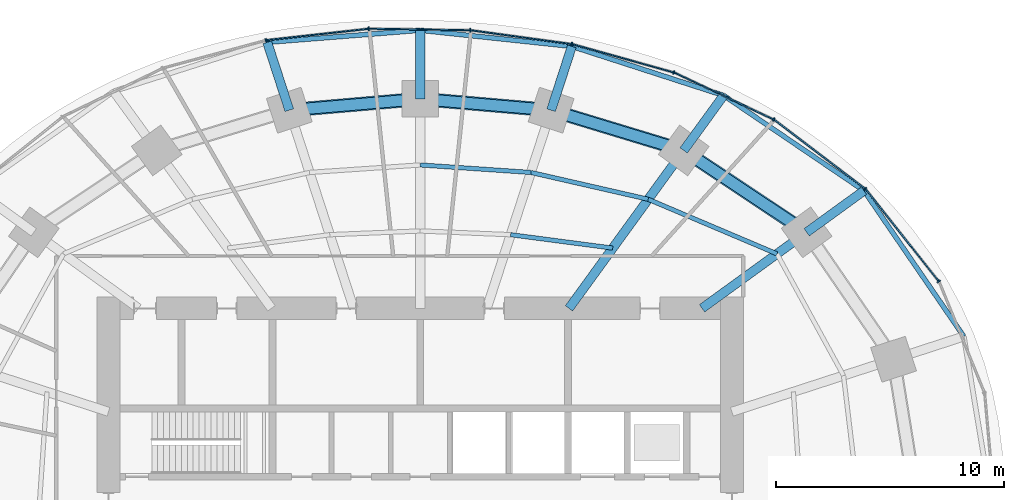
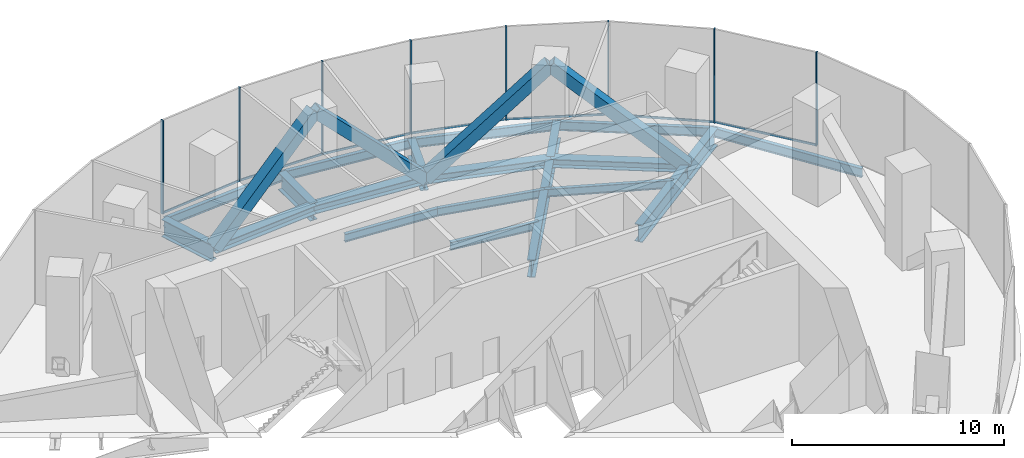
# One storey, part 8 of 14: 23 members, 16 beams, 2 elements without a shape of their own.
"""IFC4 building model written with IfcOpenShell, lengths in metres."""

from ifc_helpers import new_model, si_unit, direction, frame, origin, origin_2d, place, context, subcontext, project, spatial, rectangle, hollow_rectangle, i_section, extrude, material, material_profile, profile_set, type_object, element, aggregate, save


model = new_model("IFC4")

# Units and contexts
model_context = context("Model", 3, precision=1e-05, world=origin(), true_north=direction((0.0, 1.0)))
body_context = subcontext(model_context, "Body", "Model", "MODEL_VIEW")
ifc_project = project(units=[si_unit("LENGTHUNIT", "METRE"), si_unit("AREAUNIT", "SQUARE_METRE"), si_unit("VOLUMEUNIT", "CUBIC_METRE"), si_unit("PLANEANGLEUNIT", "RADIAN"), si_unit("MASSUNIT", "GRAM", prefix="KILO")], contexts=[model_context])

# Site, building, storey
site_placement = place(None, origin())
site = spatial("IfcSite", under=ifc_project, at=site_placement, CompositionType="ELEMENT")
building_placement = place(site_placement, origin())
building = spatial("IfcBuilding", under=site, at=building_placement, Name="Marramba Exchange Tower", CompositionType="ELEMENT")
storey_placement = place(building_placement, frame((0.0, 0.0, 166.5)))
storey = spatial("IfcBuildingStorey", under=building, at=storey_placement, Name="L40", CompositionType="ELEMENT", Elevation=166.5)

# Members
ifc_material_1 = material(Name="Steel AS/NZS 3679.2 grade 300", Category="steel")
ifc_material_profile_1 = material_profile(ifc_material_1, i_section(OverallWidth=0.5, OverallDepth=0.48388671875, WebThickness=0.02490234375, FlangeThickness=0.031982421875, at=origin_2d()), Name="500WC340")
ifc_profile_set_1 = profile_set([ifc_material_profile_1], Name="Steel AS/NZS 3679.2 grade 300")
member_type_1 = type_object("IfcMemberType", Name="Belt truss chord 500WC340", PredefinedType="CHORD", material=ifc_profile_set_1)
member_1_placement = place(storey_placement, frame((16.98583984375, 12.3408203125, -0.44189453125), z_axis=(-0.832293151443, 0.554335737673, 0.0), x_axis=(-0.554335737673, -0.832293151443, 0.0)))
element("IfcMember", 1, at=member_1_placement, inside=storey, type_object=member_type_1, Name="Belt chord L40 TC03-TC04", PredefinedType="CHORD", context=body_context, shape_type="SweptSolid", body=[
    extrude(i_section(OverallWidth=0.5, OverallDepth=0.48388671875, WebThickness=0.02490234375, FlangeThickness=0.031982421875, at=origin_2d()), origin(), (0.0, 0.0, 1.0), 6.49365234375),
])
member_2_placement = place(storey_placement, frame((11.581298828125, 15.9404296875, -0.44189453125), z_axis=(-0.956924542524, 0.290336735387, 0.0), x_axis=(-0.290336735387, -0.956924542524, 0.0)))
element("IfcMember", 2, at=member_2_placement, inside=storey, type_object=member_type_1, Name="Belt chord L40 TC04-TC05", PredefinedType="CHORD", context=body_context, shape_type="SweptSolid", body=[
    extrude(i_section(OverallWidth=0.5, OverallDepth=0.48388671875, WebThickness=0.02490234375, FlangeThickness=0.031982421875, at=origin_2d()), origin(), (0.0, 0.0, 1.0), 6.089599609375),
])
for number, where, z_axis, x_axis, name in (
    (3, (5.75390625, 17.70849609375, -0.44189453125), (-0.996311003275, 0.085815993578, 0.0), (-0.085815993578, -0.996311003275, 0.0), "Belt chord L40 TC05-TC06"),
    (4, (0.0, 18.2041015625, -0.44189453125), (-0.996311003275, -0.085815993578, 0.0), (0.085815993578, -0.996311003275, 0.0), "Belt chord L40 TC06-TC07"),
):
    element("IfcMember", number, at=place(storey_placement, frame(where, z_axis=z_axis, x_axis=x_axis)), inside=storey, type_object=member_type_1, Name=name, PredefinedType="CHORD", context=body_context, shape_type="SweptSolid", body=[
        extrude(i_section(OverallWidth=0.5, OverallDepth=0.48388671875, WebThickness=0.02490234375, FlangeThickness=0.031982421875, at=origin_2d()), origin(), (0.0, 0.0, 1.0), 5.775146484375),
    ])
ifc_material_2 = material(Name="Steel AS/NZS 3678 grade 350", Category="steel")
ifc_material_profile_2 = material_profile(ifc_material_2, hollow_rectangle(XDim=0.60009765625, YDim=0.60009765625, WallThickness=0.0400390625, at=origin_2d()), Name="600x600x40BOX")
ifc_profile_set_2 = profile_set([ifc_material_profile_2], Name="Steel AS/NZS 3678 grade 350")
member_type_2 = type_object("IfcMemberType", Name="Belt truss diagonal 600x600x40BOX", PredefinedType="BRACE", material=ifc_profile_set_2)
member_3_placement = place(storey_placement, frame((16.98583984375, 12.3408203125, -0.44189453125), z_axis=(-0.630292951441, 0.419796687719, 0.653070850937), x_axis=(-0.554335737673, -0.832293151443, 0.0)))
element("IfcMember", 5, at=member_3_placement, inside=storey, type_object=member_type_2, Name="Belt truss BT40 diagonal 03", PredefinedType="BRACE", context=body_context, shape_type="SweptSolid", body=[
    extrude(hollow_rectangle(XDim=0.60009765625, YDim=0.60009765625, WallThickness=0.0400390625, at=origin_2d()), origin(), (0.0, 0.0, 1.0), 8.57470703125),
])
member_4_placement = place(storey_placement, frame((11.581298828125, 15.9404296875, 5.157958984375), z_axis=(-0.704384845581, 0.213714652968, -0.676881109518), x_axis=(-0.290336735387, -0.956924542524, 0.0)))
element("IfcMember", 6, at=member_4_placement, inside=storey, type_object=member_type_2, Name="Belt truss BT40 diagonal 04", PredefinedType="BRACE", context=body_context, shape_type="SweptSolid", body=[
    extrude(hollow_rectangle(XDim=0.60009765625, YDim=0.60009765625, WallThickness=0.0400390625, at=origin_2d()), origin(), (0.0, 0.0, 1.0), 8.27294921875),
])
for number, where, z_axis, x_axis, name in (
    (7, (5.75390625, 17.70849609375, -0.44189453125), (-0.715273791372, 0.061609207251, 0.696123343207), (-0.085815993578, -0.996311003275, 0.0), "Belt truss BT40 diagonal 05"),
    (8, (0.0, 18.2041015625, 5.157958984375), (-0.715273791372, -0.061609207251, -0.696123343207), (0.085815993578, -0.996311003275, 0.0), "Belt truss BT40 diagonal 06"),
):
    element("IfcMember", number, at=place(storey_placement, frame(where, z_axis=z_axis, x_axis=x_axis)), inside=storey, type_object=member_type_2, Name=name, PredefinedType="BRACE", context=body_context, shape_type="SweptSolid", body=[
        extrude(hollow_rectangle(XDim=0.60009765625, YDim=0.60009765625, WallThickness=0.0400390625, at=origin_2d()), origin(), (0.0, 0.0, 1.0), 8.04443359375),
    ])

# Beams
ifc_material_profile_3 = material_profile(ifc_material_1, i_section(OverallWidth=0.39990234375, OverallDepth=1.0, WebThickness=0.01611328125, FlangeThickness=0.031982421875, at=origin_2d()), Name="1000WB322")
ifc_profile_set_3 = profile_set([ifc_material_profile_3], Name="Steel AS/NZS 3679.2 grade 300")
beam_type_1 = type_object("IfcBeamType", Name="Cantilever girder 1000WB322", PredefinedType="BEAM", material=ifc_profile_set_3)
beam_1_placement = place(storey_placement, frame((16.98583984375, 12.3408203125, -0.699951171875), z_axis=(0.809013970709, 0.58778941399, 0.0), x_axis=(-0.58778941399, 0.809013970709, 0.0)))
element("IfcBeam", 9, at=beam_1_placement, inside=storey, type_object=beam_type_1, Name="Cantilever girder L40 TC03", PredefinedType="BEAM", context=body_context, shape_type="SweptSolid", body=[
    extrude(i_section(OverallWidth=0.39990234375, OverallDepth=1.0, WebThickness=0.01611328125, FlangeThickness=0.031982421875, at=origin_2d()), origin(), (0.0, 0.0, 1.0), 3.1142578125),
])
beam_2_placement = place(storey_placement, frame((11.581298828125, 15.9404296875, -0.699951171875), z_axis=(0.587821738214, 0.808990484544, 0.0), x_axis=(-0.808990484544, 0.587821738214, 0.0)))
element("IfcBeam", 10, at=beam_2_placement, inside=storey, type_object=beam_type_1, Name="Cantilever girder L40 TC04", PredefinedType="BEAM", context=body_context, shape_type="SweptSolid", body=[
    extrude(i_section(OverallWidth=0.39990234375, OverallDepth=1.0, WebThickness=0.01611328125, FlangeThickness=0.031982421875, at=origin_2d()), origin(), (0.0, 0.0, 1.0), 2.987060546875),
])
beam_3_placement = place(storey_placement, frame((5.75390625, 17.70849609375, -0.699951171875), z_axis=(0.309018704887, 0.951055960514, 0.0), x_axis=(-0.951055960514, 0.309018704887, 0.0)))
element("IfcBeam", 11, at=beam_3_placement, inside=storey, type_object=beam_type_1, Name="Cantilever girder L40 TC05", PredefinedType="BEAM", context=body_context, shape_type="SweptSolid", body=[
    extrude(i_section(OverallWidth=0.39990234375, OverallDepth=1.0, WebThickness=0.01611328125, FlangeThickness=0.031982421875, at=origin_2d()), origin(), (0.0, 0.0, 1.0), 2.949951171875),
])
beam_4_placement = place(storey_placement, frame((0.0, 18.2041015625, -0.699951171875), z_axis=(0.0, 1.0, 0.0), x_axis=(-1.0, 0.0, 0.0)))
element("IfcBeam", 12, at=beam_4_placement, inside=storey, type_object=beam_type_1, Name="Cantilever girder L40 TC06", PredefinedType="BEAM", context=body_context, shape_type="SweptSolid", body=[
    extrude(i_section(OverallWidth=0.39990234375, OverallDepth=1.0, WebThickness=0.01611328125, FlangeThickness=0.031982421875, at=origin_2d()), origin(), (0.0, 0.0, 1.0), 3.01904296875),
])
beam_5_placement = place(storey_placement, frame((-5.75390625, 17.70849609375, -0.699951171875), z_axis=(-0.309028002802, 0.95105293937, 0.0), x_axis=(-0.95105293937, -0.309028002802, 0.0)))
element("IfcBeam", 13, at=beam_5_placement, inside=storey, type_object=beam_type_1, Name="Cantilever girder L40 TC07", PredefinedType="BEAM", context=body_context, shape_type="SweptSolid", body=[
    extrude(i_section(OverallWidth=0.39990234375, OverallDepth=1.0, WebThickness=0.01611328125, FlangeThickness=0.031982421875, at=origin_2d()), origin(), (0.0, 0.0, 1.0), 3.13720703125),
])
ifc_material_3 = material(Name="Steel AS/NZS 3679.1 grade 300", Category="steel")
ifc_material_profile_4 = material_profile(ifc_material_3, i_section(OverallWidth=0.19091796875, OverallDepth=0.4599609375, WebThickness=0.010009765625, FlangeThickness=0.01611328125, FilletRadius=0.011474609375, at=origin_2d()), Name="460UB82.1")
ifc_profile_set_4 = profile_set([ifc_material_profile_4], Name="Steel AS/NZS 3679.1 grade 300")
beam_type_2 = type_object("IfcBeamType", Name="Floor joist 460UB82.1", PredefinedType="JOIST", material=ifc_profile_set_4)
beam_6_placement = place(storey_placement, frame((15.682373046875, 11.393798828125, -0.429931640625), z_axis=(-0.920674336375, 0.390331610738, 0.0), x_axis=(-0.390331610738, -0.920674336375, 0.0)))
element("IfcBeam", 14, at=beam_6_placement, inside=storey, type_object=beam_type_2, Name="Joist L40 bay 03 row 2", PredefinedType="JOIST", context=body_context, shape_type="SweptSolid", body=[
    extrude(i_section(OverallWidth=0.19091796875, OverallDepth=0.4599609375, WebThickness=0.010009765625, FlangeThickness=0.01611328125, FilletRadius=0.011474609375, at=origin_2d()), origin(), (0.0, 0.0, 1.0), 6.1484375),
])
beam_7_placement = place(storey_placement, frame((8.4619140625, 11.646728515625, -0.429931640625), z_axis=(-0.991480538255, 0.130254912618, 0.0), x_axis=(-0.130254912618, -0.991480538255, 0.0)))
element("IfcBeam", 15, at=beam_7_placement, inside=storey, type_object=beam_type_2, Name="Joist L40 bay 04 row 1", PredefinedType="JOIST", context=body_context, shape_type="SweptSolid", body=[
    extrude(i_section(OverallWidth=0.19091796875, OverallDepth=0.4599609375, WebThickness=0.010009765625, FlangeThickness=0.01611328125, FilletRadius=0.011474609375, at=origin_2d()), origin(), (0.0, 0.0, 1.0), 4.524658203125),
])
beam_8_placement = place(storey_placement, frame((10.021728515625, 13.793701171875, -0.429931640625), z_axis=(-0.974859652292, 0.222819788916, 0.0), x_axis=(-0.222819788916, -0.974859652292, 0.0)))
element("IfcBeam", 16, at=beam_8_placement, inside=storey, type_object=beam_type_2, Name="Joist L40 bay 04 row 2", PredefinedType="JOIST", context=body_context, shape_type="SweptSolid", body=[
    extrude(i_section(OverallWidth=0.19091796875, OverallDepth=0.4599609375, WebThickness=0.010009765625, FlangeThickness=0.01611328125, FilletRadius=0.011474609375, at=origin_2d()), origin(), (0.0, 0.0, 1.0), 5.2900390625),
])
beam_9_placement = place(storey_placement, frame((4.86474609375, 14.972412109375, -0.429931640625), z_axis=(-0.997702652202, 0.067745241816, 0.0), x_axis=(-0.067745241816, -0.997702652202, 0.0)))
element("IfcBeam", 17, at=beam_9_placement, inside=storey, type_object=beam_type_2, Name="Joist L40 bay 05 row 2", PredefinedType="JOIST", context=body_context, shape_type="SweptSolid", body=[
    extrude(i_section(OverallWidth=0.19091796875, OverallDepth=0.4599609375, WebThickness=0.010009765625, FlangeThickness=0.01611328125, FilletRadius=0.011474609375, at=origin_2d()), origin(), (0.0, 0.0, 1.0), 4.8759765625),
])

# Curtain wall, members
ifc_material_4 = material(Name="Aluminium framing, bronze anodised", Category="aluminium")
curtain_wall_type = type_object("IfcCurtainWallType", Name="Plant floor louvred curtain wall", PredefinedType="USERDEFINED", material=ifc_material_4)
curtain_wall_1_placement = place(storey_placement, origin())
curtain_wall_1 = element("IfcCurtainWall", 18, at=curtain_wall_1_placement, inside=storey, type_object=curtain_wall_type, Name="Curtain wall CW6 L40 F01-F05", ObjectType="RIBBON CURTAIN WALL", PredefinedType="USERDEFINED")
ifc_material_5 = material(Name="Aluminium mullion, bronze anodised", Category="aluminium")
ifc_material_profile_5 = material_profile(ifc_material_5, rectangle(XDim=0.159912109375, YDim=0.06005859375, at=origin_2d()), Name="CW6 mullion 60x160")
ifc_profile_set_5 = profile_set([ifc_material_profile_5], Name="Aluminium mullion, bronze anodised")
member_type_3 = type_object("IfcMemberType", Name="Plant floor louvred curtain wall mullion", PredefinedType="MULLION", material=ifc_profile_set_5)
member_5_placement = place(storey_placement, frame((22.796630859375, 10.181640625, 0.0), z_axis=(0.0, 0.0, 1.0), x_axis=(-0.783563266703, -0.621312004611, 0.0)))
member_5 = element("IfcMember", 19, at=member_5_placement, type_object=member_type_3, Name="CW6 mullion 1", PredefinedType="MULLION", context=body_context, shape_type="SweptSolid", body=[
    extrude(rectangle(XDim=0.159912109375, YDim=0.06005859375, at=origin_2d()), origin(), (0.0, 0.0, 1.0), 5.39990234375),
])
member_6_placement = place(storey_placement, frame((19.5625, 14.24853515625, 0.0), z_axis=(0.0, 0.0, 1.0), x_axis=(-0.60533377223, -0.795971748366, 0.0)))
member_6 = element("IfcMember", 20, at=member_6_placement, type_object=member_type_3, Name="CW6 mullion 1", PredefinedType="MULLION", context=body_context, shape_type="SweptSolid", body=[
    extrude(rectangle(XDim=0.159912109375, YDim=0.06005859375, at=origin_2d()), origin(), (0.0, 0.0, 1.0), 5.39990234375),
])
member_7_placement = place(storey_placement, frame((15.538818359375, 17.300537109375, 0.0), z_axis=(0.0, 0.0, 1.0), x_axis=(-0.426678995157, -0.904403137485, 0.0)))
member_7 = element("IfcMember", 21, at=member_7_placement, type_object=member_type_3, Name="CW6 mullion 1", PredefinedType="MULLION", context=body_context, shape_type="SweptSolid", body=[
    extrude(rectangle(XDim=0.159912109375, YDim=0.06005859375, at=origin_2d()), origin(), (0.0, 0.0, 1.0), 5.39990234375),
])

curtain_wall_2_placement = place(storey_placement, origin())
curtain_wall_2 = element("IfcCurtainWall", 22, at=curtain_wall_2_placement, inside=storey, type_object=curtain_wall_type, Name="Curtain wall CW6 L40 F06-F10", ObjectType="RIBBON CURTAIN WALL", PredefinedType="USERDEFINED")
member_8_placement = place(storey_placement, frame((11.147705078125, 19.366455078125, 0.0), z_axis=(0.0, 0.0, 1.0), x_axis=(-0.268865090816, -0.963177845956, 0.0)))
member_8 = element("IfcMember", 23, at=member_8_placement, type_object=member_type_3, Name="CW6 mullion 1", PredefinedType="MULLION", context=body_context, shape_type="SweptSolid", body=[
    extrude(rectangle(XDim=0.159912109375, YDim=0.06005859375, at=origin_2d()), origin(), (0.0, 0.0, 1.0), 5.39990234375),
])
member_9_placement = place(storey_placement, frame((6.66650390625, 20.61328125, 0.0), z_axis=(0.0, 0.0, 1.0), x_axis=(-0.135785837319, -0.990738212841, 0.0)))
member_9 = element("IfcMember", 24, at=member_9_placement, type_object=member_type_3, Name="CW6 mullion 1", PredefinedType="MULLION", context=body_context, shape_type="SweptSolid", body=[
    extrude(rectangle(XDim=0.159912109375, YDim=0.06005859375, at=origin_2d()), origin(), (0.0, 0.0, 1.0), 5.39990234375),
])
member_10_placement = place(storey_placement, frame((2.200439453125, 21.2216796875, 0.0), z_axis=(0.0, 0.0, 1.0), x_axis=(-0.01575578169, -0.999875869968, 0.0)))
member_10 = element("IfcMember", 25, at=member_10_placement, type_object=member_type_3, Name="CW6 mullion 1", PredefinedType="MULLION", context=body_context, shape_type="SweptSolid", body=[
    extrude(rectangle(XDim=0.159912109375, YDim=0.06005859375, at=origin_2d()), origin(), (0.0, 0.0, 1.0), 5.39990234375),
])
member_11_placement = place(storey_placement, frame((-2.267578125, 21.288330078125, 0.0), z_axis=(0.0, 0.0, 1.0), x_axis=(0.110973233233, -0.993823395532, 0.0)))
member_11 = element("IfcMember", 26, at=member_11_placement, type_object=member_type_3, Name="CW6 mullion 1", PredefinedType="MULLION", context=body_context, shape_type="SweptSolid", body=[
    extrude(rectangle(XDim=0.159912109375, YDim=0.06005859375, at=origin_2d()), origin(), (0.0, 0.0, 1.0), 5.39990234375),
])
member_12_placement = place(storey_placement, frame((-6.783203125, 20.779541015625, 0.0), z_axis=(0.0, 0.0, 1.0), x_axis=(0.260321294588, -0.965522047176, 0.0)))
member_12 = element("IfcMember", 27, at=member_12_placement, type_object=member_type_3, Name="CW6 mullion 1", PredefinedType="MULLION", context=body_context, shape_type="SweptSolid", body=[
    extrude(rectangle(XDim=0.159912109375, YDim=0.06005859375, at=origin_2d()), origin(), (0.0, 0.0, 1.0), 5.39990234375),
])

# Member
ifc_material_6 = material(Name="Aluminium transom, bronze anodised", Category="aluminium")
ifc_material_profile_6 = material_profile(ifc_material_6, rectangle(XDim=0.06005859375, YDim=0.1201171875, at=origin_2d()), Name="CW6 transom 60x120")
ifc_profile_set_6 = profile_set([ifc_material_profile_6], Name="Aluminium transom, bronze anodised")
member_type_4 = type_object("IfcMemberType", Name="Plant floor louvred curtain wall transom", PredefinedType="USERDEFINED", material=ifc_profile_set_6)
member_13_placement = place(storey_placement, frame((22.778076171875, 10.205078125, 0.030029296875), z_axis=(-0.621339379472, 0.783541559534, 0.0), x_axis=(-0.783541559534, -0.621339379472, 0.0)))
member_13 = element("IfcMember", 28, at=member_13_placement, type_object=member_type_4, Name="CW6 sill transom", ObjectType="TRANSOM", PredefinedType="USERDEFINED", context=body_context, shape_type="SweptSolid", body=[
    extrude(rectangle(XDim=0.06005859375, YDim=0.1201171875, at=origin_2d()), origin(), (0.0, 0.0, 1.0), 5.13720703125),
])

member_14_placement = place(storey_placement, frame((19.53857421875, 14.2666015625, 0.030029296875), z_axis=(-0.7959906025, 0.605308979556, 0.0), x_axis=(-0.605308979556, -0.7959906025, 0.0)))
member_14 = element("IfcMember", 29, at=member_14_placement, type_object=member_type_4, Name="CW6 sill transom", ObjectType="TRANSOM", PredefinedType="USERDEFINED", context=body_context, shape_type="SweptSolid", body=[
    extrude(rectangle(XDim=0.06005859375, YDim=0.1201171875, at=origin_2d()), origin(), (0.0, 0.0, 1.0), 4.99072265625),
])

member_15_placement = place(storey_placement, frame((15.51171875, 17.313232421875, 0.030029296875), z_axis=(-0.904410826824, 0.426662696193, 0.0), x_axis=(-0.426662696193, -0.904410826824, 0.0)))
member_15 = element("IfcMember", 30, at=member_15_placement, type_object=member_type_4, Name="CW6 sill transom", ObjectType="TRANSOM", PredefinedType="USERDEFINED", context=body_context, shape_type="SweptSolid", body=[
    extrude(rectangle(XDim=0.06005859375, YDim=0.1201171875, at=origin_2d()), origin(), (0.0, 0.0, 1.0), 4.79345703125),
])

aggregate(curtain_wall_1, [member_5, member_13, member_6, member_14, member_7, member_15])

member_16_placement = place(storey_placement, frame((11.118896484375, 19.37451171875, 0.030029296875), z_axis=(-0.963173567938, 0.268880415847, 0.0), x_axis=(-0.268880415847, -0.963173567938, 0.0)))
member_16 = element("IfcMember", 31, at=member_16_placement, type_object=member_type_4, Name="CW6 sill transom", ObjectType="TRANSOM", PredefinedType="USERDEFINED", context=body_context, shape_type="SweptSolid", body=[
    extrude(rectangle(XDim=0.06005859375, YDim=0.1201171875, at=origin_2d()), origin(), (0.0, 0.0, 1.0), 4.591796875),
])

member_17_placement = place(storey_placement, frame((6.636962890625, 20.6171875, 0.030029296875), z_axis=(-0.990736067897, 0.135801486619, 0.0), x_axis=(-0.135801486619, -0.990736067897, 0.0)))
member_17 = element("IfcMember", 32, at=member_17_placement, type_object=member_type_4, Name="CW6 sill transom", ObjectType="TRANSOM", PredefinedType="USERDEFINED", context=body_context, shape_type="SweptSolid", body=[
    extrude(rectangle(XDim=0.06005859375, YDim=0.1201171875, at=origin_2d()), origin(), (0.0, 0.0, 1.0), 4.44775390625),
])

member_18_placement = place(storey_placement, frame((2.17041015625, 21.22216796875, 0.030029296875), z_axis=(-0.999875452363, 0.015782260962, 0.0), x_axis=(-0.015782260962, -0.999875452363, 0.0)))
member_18 = element("IfcMember", 33, at=member_18_placement, type_object=member_type_4, Name="CW6 sill transom", ObjectType="TRANSOM", PredefinedType="USERDEFINED", context=body_context, shape_type="SweptSolid", body=[
    extrude(rectangle(XDim=0.06005859375, YDim=0.1201171875, at=origin_2d()), origin(), (0.0, 0.0, 1.0), 4.40869140625),
])

member_19_placement = place(storey_placement, frame((-2.29736328125, 21.284912109375, 0.030029296875), z_axis=(-0.993825837835, -0.110951358943, 0.0), x_axis=(0.110951358943, -0.993825837835, 0.0)))
member_19 = element("IfcMember", 34, at=member_19_placement, type_object=member_type_4, Name="CW6 sill transom", ObjectType="TRANSOM", PredefinedType="USERDEFINED", context=body_context, shape_type="SweptSolid", body=[
    extrude(rectangle(XDim=0.06005859375, YDim=0.1201171875, at=origin_2d()), origin(), (0.0, 0.0, 1.0), 4.484375),
])

aggregate(curtain_wall_2, [member_8, member_16, member_9, member_17, member_10, member_18, member_11, member_19, member_12])

# Beams
ifc_material_profile_7 = material_profile(ifc_material_1, i_section(OverallWidth=0.39990234375, OverallDepth=1.0, WebThickness=0.01611328125, FlangeThickness=0.031982421875, at=origin_2d()), Name="1000WB322")
ifc_profile_set_7 = profile_set([ifc_material_profile_7], Name="Steel AS/NZS 3679.2 grade 300")
beam_type_3 = type_object("IfcBeamType", Name="Radial girder 1000WB322", PredefinedType="BEAM", material=ifc_profile_set_7)
beam_10_placement = place(storey_placement, frame((12.387451171875, 9.0, -0.699951171875), z_axis=(0.809025746925, 0.587773205252, 0.0), x_axis=(-0.587773205252, 0.809025746925, 0.0)))
element("IfcBeam", 35, at=beam_10_placement, inside=storey, type_object=beam_type_3, Name="Radial girder L40 TC03", PredefinedType="BEAM", context=body_context, shape_type="SweptSolid", body=[
    extrude(i_section(OverallWidth=0.39990234375, OverallDepth=1.0, WebThickness=0.01611328125, FlangeThickness=0.031982421875, at=origin_2d()), origin(), (0.0, 0.0, 1.0), 5.683837890625),
])
beam_11_placement = place(storey_placement, frame((6.538818359375, 9.0, -0.699951171875), z_axis=(0.587782439969, 0.80901903764, 0.0), x_axis=(-0.80901903764, 0.587782439969, 0.0)))
element("IfcBeam", 36, at=beam_11_placement, inside=storey, type_object=beam_type_3, Name="Radial girder L40 TC04", PredefinedType="BEAM", context=body_context, shape_type="SweptSolid", body=[
    extrude(i_section(OverallWidth=0.39990234375, OverallDepth=1.0, WebThickness=0.01611328125, FlangeThickness=0.031982421875, at=origin_2d()), origin(), (0.0, 0.0, 1.0), 8.578857421875),
])
ifc_material_profile_8 = material_profile(ifc_material_3, i_section(OverallWidth=0.208984375, OverallDepth=0.528076171875, WebThickness=0.009521484375, FlangeThickness=0.01318359375, FilletRadius=0.013916015625, at=origin_2d()), Name="530UB82.0")
ifc_profile_set_8 = profile_set([ifc_material_profile_8], Name="Steel AS/NZS 3679.1 grade 300")
beam_type_4 = type_object("IfcBeamType", Name="Slab edge beam 530UB82.0", PredefinedType="SPANDREL", material=ifc_profile_set_8)
beam_12_placement = place(storey_placement, frame((23.89501953125, 7.763916015625, -0.464111328125), z_axis=(-0.56517400038, 0.824971726361, 0.0), x_axis=(-0.824971726361, -0.56517400038, 0.0)))
element("IfcBeam", 37, at=beam_12_placement, inside=storey, type_object=beam_type_4, Name="Slab edge beam L40 TC02-TC03", PredefinedType="SPANDREL", context=body_context, shape_type="SweptSolid", body=[
    extrude(i_section(OverallWidth=0.208984375, OverallDepth=0.528076171875, WebThickness=0.009521484375, FlangeThickness=0.01318359375, FilletRadius=0.013916015625, at=origin_2d()), origin(), (0.0, 0.0, 1.0), 7.766845703125),
])
beam_13_placement = place(storey_placement, frame((19.50537109375, 14.17138671875, -0.464111328125), z_axis=(-0.827477404833, 0.561499015574, 0.0), x_axis=(-0.561499015574, -0.827477404833, 0.0)))
element("IfcBeam", 38, at=beam_13_placement, inside=storey, type_object=beam_type_4, Name="Slab edge beam L40 TC03-TC04", PredefinedType="SPANDREL", context=body_context, shape_type="SweptSolid", body=[
    extrude(i_section(OverallWidth=0.208984375, OverallDepth=0.528076171875, WebThickness=0.009521484375, FlangeThickness=0.01318359375, FilletRadius=0.013916015625, at=origin_2d()), origin(), (0.0, 0.0, 1.0), 7.454345703125),
])
beam_14_placement = place(storey_placement, frame((13.337158203125, 18.35693359375, -0.464111328125), z_axis=(-0.951496392577, 0.307659901373, 0.0), x_axis=(-0.307659901373, -0.951496392577, 0.0)))
element("IfcBeam", 39, at=beam_14_placement, inside=storey, type_object=beam_type_4, Name="Slab edge beam L40 TC04-TC05", PredefinedType="SPANDREL", context=body_context, shape_type="SweptSolid", body=[
    extrude(i_section(OverallWidth=0.208984375, OverallDepth=0.528076171875, WebThickness=0.009521484375, FlangeThickness=0.01318359375, FilletRadius=0.013916015625, at=origin_2d()), origin(), (0.0, 0.0, 1.0), 7.01171875),
])
beam_15_placement = place(storey_placement, frame((6.66552734375, 20.51416015625, -0.464111328125), z_axis=(-0.994390706415, 0.105769196815, 0.0), x_axis=(-0.105769196815, -0.994390706415, 0.0)))
element("IfcBeam", 40, at=beam_15_placement, inside=storey, type_object=beam_type_4, Name="Slab edge beam L40 TC05-TC06", PredefinedType="SPANDREL", context=body_context, shape_type="SweptSolid", body=[
    extrude(i_section(OverallWidth=0.208984375, OverallDepth=0.528076171875, WebThickness=0.009521484375, FlangeThickness=0.01318359375, FilletRadius=0.013916015625, at=origin_2d()), origin(), (0.0, 0.0, 1.0), 6.703125),
])
beam_16_placement = place(storey_placement, frame((0.0, 21.22314453125, -0.464111328125), z_axis=(-0.996895681721, -0.078733726996, 0.0), x_axis=(0.078733726996, -0.996895681721, 0.0)))
element("IfcBeam", 41, at=beam_16_placement, inside=storey, type_object=beam_type_4, Name="Slab edge beam L40 TC06-TC07", PredefinedType="SPANDREL", context=body_context, shape_type="SweptSolid", body=[
    extrude(i_section(OverallWidth=0.208984375, OverallDepth=0.528076171875, WebThickness=0.009521484375, FlangeThickness=0.01318359375, FilletRadius=0.013916015625, at=origin_2d()), origin(), (0.0, 0.0, 1.0), 6.744384765625),
])

save(model, "model.ifc")
